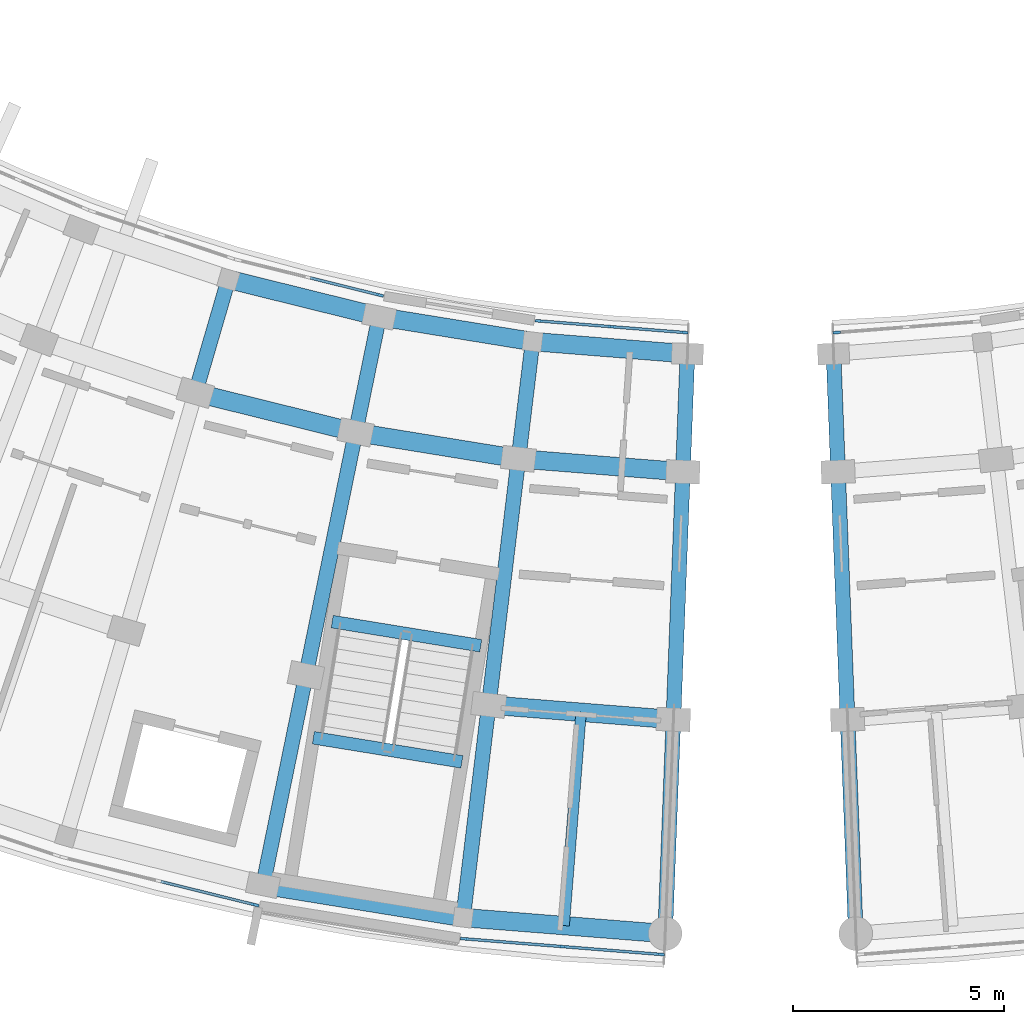
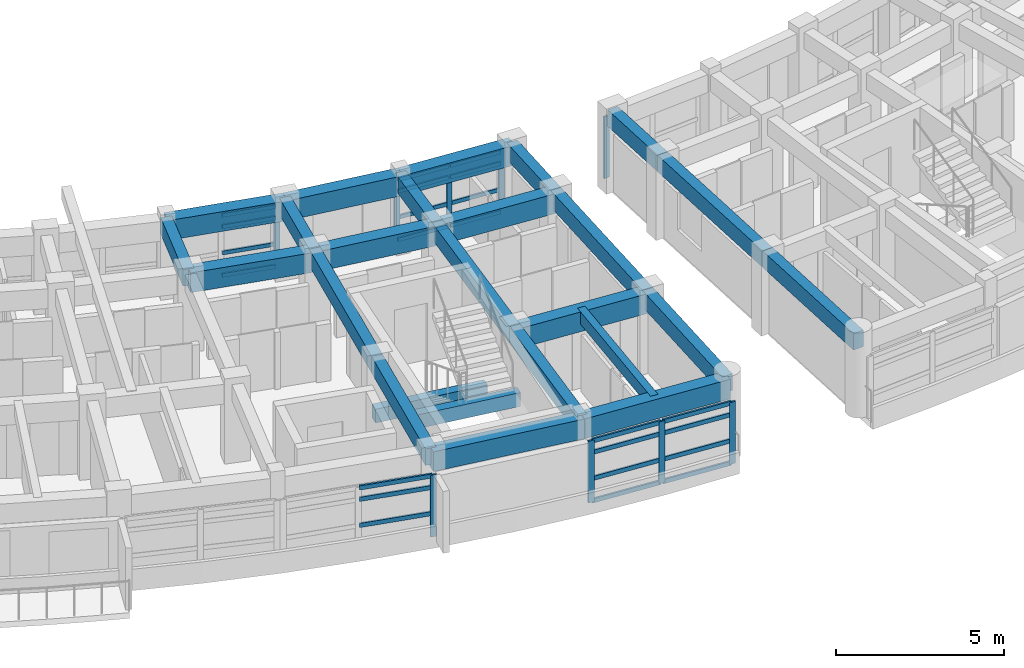
# One storey, part 12 of 55: 32 members, 25 beams, 5 elements without a shape of their own.
"""IFC4 building model written with IfcOpenShell, lengths in metres."""

from ifc_helpers import new_model, si_unit, direction, frame, origin, origin_2d, place, context, subcontext, project, spatial, rectangle, extrude, material, material_profile, profile_set, type_object, element, aggregate, save


model = new_model("IFC4")

# Units and contexts
model_context = context("Model", 3, precision=1e-05, world=origin(), true_north=direction((0.0, 1.0)))
body_context = subcontext(model_context, "Body", "Model", "MODEL_VIEW")
ifc_project = project(units=[si_unit("LENGTHUNIT", "METRE"), si_unit("AREAUNIT", "SQUARE_METRE"), si_unit("VOLUMEUNIT", "CUBIC_METRE"), si_unit("PLANEANGLEUNIT", "RADIAN"), si_unit("MASSUNIT", "GRAM", prefix="KILO")], contexts=[model_context])

# Site, building, storey
site_placement = place(None, origin())
site = spatial("IfcSite", under=ifc_project, at=site_placement, CompositionType="ELEMENT")
building_placement = place(site_placement, origin())
building = spatial("IfcBuilding", under=site, at=building_placement, Name="Zimvara Arc Housing Community", CompositionType="ELEMENT")
storey_placement = place(building_placement, frame((0.0, 0.0, 14.300048828125)))
storey = spatial("IfcBuildingStorey", under=building, at=storey_placement, Name="L04", CompositionType="ELEMENT", Elevation=14.300048828125)

# Beams
ifc_material_1 = material(Name="Concrete C40/50", Category="concrete")
ifc_material_profile_1 = material_profile(ifc_material_1, rectangle(XDim=0.25, YDim=0.449951171875, at=origin_2d()), Name="RC 250x450")
ifc_profile_set_1 = profile_set([ifc_material_profile_1], Name="Concrete C40/50")
beam_type_1 = type_object("IfcBeamType", Name="BM-RC-250x450", PredefinedType="JOIST", material=ifc_profile_set_1)
beam_1_placement = place(storey_placement, frame((121.72509765625, 56.2734375, 2.635009765625), z_axis=(-0.079171686291, -0.99686099537, 0.0), x_axis=(0.99686099537, -0.079171686291, 0.0)))
element("IfcBeam", 1, at=beam_1_placement, inside=storey, type_object=beam_type_1, Name="bm:blkC:L04:joist:b9", PredefinedType="JOIST", context=body_context, shape_type="SweptSolid", body=[
    extrude(rectangle(XDim=0.25, YDim=0.449951171875, at=origin_2d()), origin(), (0.0, 0.0, 1.0), 5.07568359375),
])
ifc_material_2 = material(Name="Concrete C40/50", Category="concrete")
ifc_material_profile_2 = material_profile(ifc_material_2, rectangle(XDim=0.300048828125, YDim=0.5, at=origin_2d()), Name="RC 300x500")
ifc_profile_set_2 = profile_set([ifc_material_profile_2], Name="Concrete C40/50")
beam_type_2 = type_object("IfcBeamType", Name="BM-RC-300x500", PredefinedType="BEAM", material=ifc_profile_set_2)
for number, where, z_axis, x_axis, name in (
    (2, (115.822265625, 58.423095703125, -0.25), (0.987080057935, -0.160227835371, 0.0), (0.160227835371, 0.987080057935, 0.0), "bm:stair_trim:ST-C2:L04:near"),
    (3, (115.375244140625, 55.6689453125, 1.300048828125), (0.987080057935, -0.160227835371, 0.0), (0.160227835371, 0.987080057935, 0.0), "bm:stair_trim:ST-C2:L04:mid"),
):
    element("IfcBeam", number, at=place(storey_placement, frame(where, z_axis=z_axis, x_axis=x_axis)), inside=storey, type_object=beam_type_2, Name=name, PredefinedType="BEAM", context=body_context, shape_type="SweptSolid", body=[
        extrude(rectangle(XDim=0.300048828125, YDim=0.5, at=origin_2d()), origin(), (0.0, 0.0, 1.0), 3.570068359375),
    ])
ifc_material_3 = material(Name="Concrete C40/50", Category="concrete")
ifc_material_profile_3 = material_profile(ifc_material_3, rectangle(XDim=0.35009765625, YDim=0.60009765625, at=origin_2d()), Name="RC 350x600")
ifc_profile_set_3 = profile_set([ifc_material_profile_3], Name="Concrete C40/50")
beam_type_3 = type_object("IfcBeamType", Name="BM-RC-350x600", PredefinedType="BEAM", material=ifc_profile_set_3)
for number, where, z_axis, x_axis, name in (
    (4, (113.361572265625, 66.540283203125, 2.56005859375), (-0.279635015525, -0.960106378529, 0.0), (0.960106378529, -0.279635015525, 0.0), "bm:blkC:L04:rad:b7:r01"),
    (5, (116.938232421875, 65.6552734375, 2.56005859375), (-0.20037341071, -0.979719600845, 0.0), (0.979719600845, -0.20037341071, 0.0), "bm:blkC:L04:rad:b8:r01"),
):
    element("IfcBeam", number, at=place(storey_placement, frame(where, z_axis=z_axis, x_axis=x_axis)), inside=storey, type_object=beam_type_3, Name=name, PredefinedType="BEAM", context=body_context, shape_type="SweptSolid", body=[
        extrude(rectangle(XDim=0.35009765625, YDim=0.60009765625, at=origin_2d()), origin(), (0.0, 0.0, 1.0), 2.800048828125),
    ])
beam_2_placement = place(storey_placement, frame((116.377197265625, 62.912109375, 2.56005859375), z_axis=(-0.200417973989, -0.979710485655, 0.0), x_axis=(0.979710485655, -0.200417973989, 0.0)))
element("IfcBeam", 6, at=beam_2_placement, inside=storey, type_object=beam_type_3, Name="bm:blkC:L04:rad:b8:r12", PredefinedType="BEAM", context=body_context, shape_type="SweptSolid", body=[
    extrude(rectangle(XDim=0.35009765625, YDim=0.60009765625, at=origin_2d()), origin(), (0.0, 0.0, 1.0), 5.880126953125),
])
beam_3_placement = place(storey_placement, frame((115.19873046875, 57.1513671875, 2.56005859375), z_axis=(-0.200356397601, -0.979723080233, 0.0), x_axis=(0.979723080233, -0.200356397601, 0.0)))
element("IfcBeam", 7, at=beam_3_placement, inside=storey, type_object=beam_type_3, Name="bm:blkC:L04:rad:b8:r23", PredefinedType="BEAM", context=body_context, shape_type="SweptSolid", body=[
    extrude(rectangle(XDim=0.35009765625, YDim=0.60009765625, at=origin_2d()), origin(), (0.0, 0.0, 1.0), 5.080078125),
])
beam_4_placement = place(storey_placement, frame((120.574951171875, 65.06494140625, 2.56005859375), z_axis=(-0.119719398078, -0.992807768767, 0.0), x_axis=(0.992807768767, -0.119719398078, 0.0)))
element("IfcBeam", 8, at=beam_4_placement, inside=storey, type_object=beam_type_3, Name="bm:blkC:L04:rad:b9:r01", PredefinedType="BEAM", context=body_context, shape_type="SweptSolid", body=[
    extrude(rectangle(XDim=0.35009765625, YDim=0.60009765625, at=origin_2d()), origin(), (0.0, 0.0, 1.0), 2.7998046875),
])
beam_5_placement = place(storey_placement, frame((120.23974609375, 62.28515625, 2.56005859375), z_axis=(-0.119786997154, -0.992799614884, 0.0), x_axis=(0.992799614884, -0.119786997154, 0.0)))
element("IfcBeam", 9, at=beam_5_placement, inside=storey, type_object=beam_type_3, Name="bm:blkC:L04:rad:b9:r12", PredefinedType="BEAM", context=body_context, shape_type="SweptSolid", body=[
    extrude(rectangle(XDim=0.35009765625, YDim=0.60009765625, at=origin_2d()), origin(), (0.0, 0.0, 1.0), 5.8798828125),
])
beam_6_placement = place(storey_placement, frame((119.535400390625, 56.447509765625, 2.56005859375), z_axis=(-0.119810359757, -0.992796795772, 0.0), x_axis=(0.992796795772, -0.119810359757, 0.0)))
element("IfcBeam", 10, at=beam_6_placement, inside=storey, type_object=beam_type_3, Name="bm:blkC:L04:rad:b9:r23", PredefinedType="BEAM", context=body_context, shape_type="SweptSolid", body=[
    extrude(rectangle(XDim=0.35009765625, YDim=0.60009765625, at=origin_2d()), origin(), (0.0, 0.0, 1.0), 5.080078125),
])
beam_7_placement = place(storey_placement, frame((124.248046875, 64.773193359375, 2.56005859375), z_axis=(-0.038453214409, -0.999260401648, 0.0), x_axis=(0.999260401648, -0.038453214409, 0.0)))
element("IfcBeam", 11, at=beam_7_placement, inside=storey, type_object=beam_type_3, Name="bm:blkC:L04:rad:b10:r01", PredefinedType="BEAM", context=body_context, shape_type="SweptSolid", body=[
    extrude(rectangle(XDim=0.35009765625, YDim=0.60009765625, at=origin_2d()), origin(), (0.0, 0.0, 1.0), 2.7998046875),
])
beam_8_placement = place(storey_placement, frame((124.140380859375, 61.975341796875, 2.56005859375), z_axis=(-0.038364555613, -0.999263809448, 0.0), x_axis=(0.999263809448, -0.038364555613, 0.0)))
element("IfcBeam", 12, at=beam_8_placement, inside=storey, type_object=beam_type_3, Name="bm:blkC:L04:rad:b10:r12", PredefinedType="BEAM", context=body_context, shape_type="SweptSolid", body=[
    extrude(rectangle(XDim=0.35009765625, YDim=0.60009765625, at=origin_2d()), origin(), (0.0, 0.0, 1.0), 5.880126953125),
])
beam_9_placement = place(storey_placement, frame((123.914794921875, 56.099609375, 2.56005859375), z_axis=(-0.038399898954, -0.999262451892, 0.0), x_axis=(0.999262451892, -0.038399898954, 0.0)))
element("IfcBeam", 13, at=beam_9_placement, inside=storey, type_object=beam_type_3, Name="bm:blkC:L04:rad:b10:r23", PredefinedType="BEAM", context=body_context, shape_type="SweptSolid", body=[
    extrude(rectangle(XDim=0.35009765625, YDim=0.60009765625, at=origin_2d()), origin(), (0.0, 0.0, 1.0), 5.079833984375),
])
beam_10_placement = place(storey_placement, frame((127.712158203125, 64.773193359375, 2.56005859375), z_axis=(0.038366147405, -0.999263748333, 0.0), x_axis=(0.999263748333, 0.038366147405, 0.0)))
element("IfcBeam", 14, at=beam_10_placement, inside=storey, type_object=beam_type_3, Name="bm:blkD:L04:rad:b0:r01", PredefinedType="BEAM", context=body_context, shape_type="SweptSolid", body=[
    extrude(rectangle(XDim=0.35009765625, YDim=0.60009765625, at=origin_2d()), origin(), (0.0, 0.0, 1.0), 2.7998046875),
])
beam_11_placement = place(storey_placement, frame((127.819580078125, 61.975341796875, 2.56005859375), z_axis=(0.038364555613, -0.999263809448, 0.0), x_axis=(0.999263809448, 0.038364555613, 0.0)))
element("IfcBeam", 15, at=beam_11_placement, inside=storey, type_object=beam_type_3, Name="bm:blkD:L04:rad:b0:r12", PredefinedType="BEAM", context=body_context, shape_type="SweptSolid", body=[
    extrude(rectangle(XDim=0.35009765625, YDim=0.60009765625, at=origin_2d()), origin(), (0.0, 0.0, 1.0), 5.880126953125),
])
beam_12_placement = place(storey_placement, frame((128.045166015625, 56.099609375, 2.56005859375), z_axis=(0.038399898954, -0.999262451892, 0.0), x_axis=(0.999262451892, 0.038399898954, 0.0)))
element("IfcBeam", 16, at=beam_12_placement, inside=storey, type_object=beam_type_3, Name="bm:blkD:L04:rad:b0:r23", PredefinedType="BEAM", context=body_context, shape_type="SweptSolid", body=[
    extrude(rectangle(XDim=0.35009765625, YDim=0.60009765625, at=origin_2d()), origin(), (0.0, 0.0, 1.0), 5.079833984375),
])
ifc_material_4 = material(Name="Concrete C40/50", Category="concrete")
ifc_material_profile_4 = material_profile(ifc_material_4, rectangle(XDim=0.43994140625, YDim=0.719970703125, at=origin_2d()), Name="RC 440x720")
ifc_profile_set_4 = profile_set([ifc_material_profile_4], Name="Concrete C40/50")
beam_type_4 = type_object("IfcBeamType", Name="BM-RC-440x720", PredefinedType="BEAM", material=ifc_profile_set_4)
beam_13_placement = place(storey_placement, frame((113.361572265625, 66.540283203125, 2.5), z_axis=(0.970724337693, -0.240196295163, 0.0), x_axis=(0.240196295163, 0.970724337693, 0.0)))
element("IfcBeam", 17, at=beam_13_placement, inside=storey, type_object=beam_type_4, Name="bm:blkC:L04:chord:r0:b7", PredefinedType="BEAM", context=body_context, shape_type="SweptSolid", body=[
    extrude(rectangle(XDim=0.43994140625, YDim=0.719970703125, at=origin_2d()), origin(), (0.0, 0.0, 1.0), 3.6845703125),
])
beam_14_placement = place(storey_placement, frame((116.938232421875, 65.6552734375, 2.5), z_axis=(0.987079996944, -0.160228211104, 0.0), x_axis=(0.160228211104, 0.987079996944, 0.0)))
element("IfcBeam", 18, at=beam_14_placement, inside=storey, type_object=beam_type_4, Name="bm:blkC:L04:chord:r0:b8", PredefinedType="BEAM", context=body_context, shape_type="SweptSolid", body=[
    extrude(rectangle(XDim=0.43994140625, YDim=0.719970703125, at=origin_2d()), origin(), (0.0, 0.0, 1.0), 3.684326171875),
])
beam_15_placement = place(storey_placement, frame((120.574951171875, 65.06494140625, 2.5), z_axis=(0.996860413745, -0.079179009267, 0.0), x_axis=(0.079179009267, 0.996860413745, 0.0)))
element("IfcBeam", 19, at=beam_15_placement, inside=storey, type_object=beam_type_4, Name="bm:blkC:L04:chord:r0:b9", PredefinedType="BEAM", context=body_context, shape_type="SweptSolid", body=[
    extrude(rectangle(XDim=0.43994140625, YDim=0.719970703125, at=origin_2d()), origin(), (0.0, 0.0, 1.0), 3.6845703125),
])
for number, where, z_axis, x_axis, name in (
    (20, (112.57861328125, 63.85205078125, 2.5), (0.970723220586, -0.240200809773, 0.0), (0.240200809773, 0.970723220586, 0.0), "bm:blkC:L04:chord:r1:b7"),
    (21, (116.377197265625, 62.912109375, 2.5), (0.987081487371, -0.160219029111, 0.0), (0.160219029111, 0.987081487371, 0.0), "bm:blkC:L04:chord:r1:b8"),
):
    element("IfcBeam", number, at=place(storey_placement, frame(where, z_axis=z_axis, x_axis=x_axis)), inside=storey, type_object=beam_type_4, Name=name, PredefinedType="BEAM", context=body_context, shape_type="SweptSolid", body=[
        extrude(rectangle(XDim=0.43994140625, YDim=0.719970703125, at=origin_2d()), origin(), (0.0, 0.0, 1.0), 3.9130859375),
    ])
beam_16_placement = place(storey_placement, frame((120.23974609375, 62.28515625, 2.5), z_axis=(0.99686054795, -0.079177319606, 0.0), x_axis=(0.079177319606, 0.99686054795, 0.0)))
element("IfcBeam", 22, at=beam_16_placement, inside=storey, type_object=beam_type_4, Name="bm:blkC:L04:chord:r1:b9", PredefinedType="BEAM", context=body_context, shape_type="SweptSolid", body=[
    extrude(rectangle(XDim=0.43994140625, YDim=0.719970703125, at=origin_2d()), origin(), (0.0, 0.0, 1.0), 3.912841796875),
])
beam_17_placement = place(storey_placement, frame((119.535400390625, 56.447509765625, 2.5), z_axis=(0.996859476344, -0.079190810224, 0.0), x_axis=(0.079190810224, 0.996859476344, 0.0)))
element("IfcBeam", 23, at=beam_17_placement, inside=storey, type_object=beam_type_4, Name="bm:blkC:L04:chord:r2:b9", PredefinedType="BEAM", context=body_context, shape_type="SweptSolid", body=[
    extrude(rectangle(XDim=0.43994140625, YDim=0.719970703125, at=origin_2d()), origin(), (0.0, 0.0, 1.0), 4.393310546875),
])
beam_18_placement = place(storey_placement, frame((114.180908203125, 52.17431640625, 2.5), z_axis=(0.987083566885, -0.160206217065, 0.0), x_axis=(0.160206217065, 0.987083566885, 0.0)))
element("IfcBeam", 24, at=beam_18_placement, inside=storey, type_object=beam_type_4, Name="bm:blkC:L04:chord:r3:b8", PredefinedType="BEAM", context=body_context, shape_type="SweptSolid", body=[
    extrude(rectangle(XDim=0.43994140625, YDim=0.719970703125, at=origin_2d()), origin(), (0.0, 0.0, 1.0), 4.807861328125),
])
beam_19_placement = place(storey_placement, frame((118.9267578125, 51.404052734375, 2.5), z_axis=(0.996861768207, -0.0791619548, 0.0), x_axis=(0.0791619548, 0.996861768207, 0.0)))
element("IfcBeam", 25, at=beam_19_placement, inside=storey, type_object=beam_type_4, Name="bm:blkC:L04:chord:r3:b9", PredefinedType="BEAM", context=body_context, shape_type="SweptSolid", body=[
    extrude(rectangle(XDim=0.43994140625, YDim=0.719970703125, at=origin_2d()), origin(), (0.0, 0.0, 1.0), 4.80810546875),
])

# Curtain wall, member
ifc_material_5 = material(Name="Anodised Aluminium AW-6063", Category="aluminium")
curtain_wall_type_1 = type_object("IfcCurtainWallType", Name="CW-SYS-04", PredefinedType="USERDEFINED", material=ifc_material_5)
curtain_wall_1_placement = place(storey_placement, origin())
curtain_wall_1 = element("IfcCurtainWall", 26, at=curtain_wall_1_placement, inside=storey, type_object=curtain_wall_type_1, Name="cw:blkC:L04:in:b7", ObjectType="CURTAIN WALL", PredefinedType="USERDEFINED")
ifc_material_6 = material(Name="Anodised Aluminium AW-6063", Category="aluminium")
ifc_material_profile_5 = material_profile(ifc_material_6, rectangle(XDim=0.06494140625, YDim=0.179931640625, at=origin_2d()), Name="ALU 65x180")
ifc_profile_set_5 = profile_set([ifc_material_profile_5], Name="Anodised Aluminium AW-6063")
member_type_1 = type_object("IfcMemberType", Name="CWM-65x150", PredefinedType="MULLION", material=ifc_profile_set_5)
member_1_placement = place(storey_placement, frame((116.94873046875, 66.167236328125, 0.0), z_axis=(0.0, 0.0, 1.0), x_axis=(0.240227815706, 0.970716537698, 0.0)))
member_1 = element("IfcMember", 27, at=member_1_placement, type_object=member_type_1, Name="CW04 mullion 3", PredefinedType="MULLION", context=body_context, shape_type="SweptSolid", body=[
    extrude(rectangle(XDim=0.06494140625, YDim=0.179931640625, at=origin_2d()), origin(), (0.0, 0.0, 1.0), 2.25),
])

# Curtain wall, members
ifc_material_7 = material(Name="Anodised Aluminium AW-6063", Category="aluminium")
curtain_wall_type_2 = type_object("IfcCurtainWallType", Name="CW-SYS-06", PredefinedType="USERDEFINED", material=ifc_material_7)
curtain_wall_2_placement = place(storey_placement, origin())
curtain_wall_2 = element("IfcCurtainWall", 28, at=curtain_wall_2_placement, inside=storey, type_object=curtain_wall_type_2, Name="cw:blkC:L04:in:b9", ObjectType="CURTAIN WALL", PredefinedType="USERDEFINED")
member_2_placement = place(storey_placement, frame((120.72705078125, 65.553955078125, 0.0), z_axis=(0.0, 0.0, 1.0), x_axis=(0.079154709897, 0.996862343506, 0.0)))
member_2 = element("IfcMember", 29, at=member_2_placement, type_object=member_type_1, Name="CW06 mullion 1", PredefinedType="MULLION", context=body_context, shape_type="SweptSolid", body=[
    extrude(rectangle(XDim=0.06494140625, YDim=0.179931640625, at=origin_2d()), origin(), (0.0, 0.0, 1.0), 2.25),
])
member_3_placement = place(storey_placement, frame((122.450927734375, 65.4169921875, 0.0), z_axis=(0.0, 0.0, 1.0), x_axis=(0.079154709897, 0.996862343506, 0.0)))
member_3 = element("IfcMember", 30, at=member_3_placement, type_object=member_type_1, Name="CW06 mullion 2", PredefinedType="MULLION", context=body_context, shape_type="SweptSolid", body=[
    extrude(rectangle(XDim=0.06494140625, YDim=0.179931640625, at=origin_2d()), origin(), (0.0, 0.0, 1.0), 2.25),
])
member_4_placement = place(storey_placement, frame((124.1748046875, 65.2802734375, 0.0), z_axis=(0.0, 0.0, 1.0), x_axis=(0.079154709897, 0.996862343506, 0.0)))
member_4 = element("IfcMember", 31, at=member_4_placement, type_object=member_type_1, Name="CW06 mullion 3", PredefinedType="MULLION", context=body_context, shape_type="SweptSolid", body=[
    extrude(rectangle(XDim=0.06494140625, YDim=0.179931640625, at=origin_2d()), origin(), (0.0, 0.0, 1.0), 2.25),
])

# Curtain wall, member
ifc_material_8 = material(Name="Anodised Aluminium AW-6063", Category="aluminium")
curtain_wall_type_3 = type_object("IfcCurtainWallType", Name="CW-SYS-02", PredefinedType="USERDEFINED", material=ifc_material_8)
curtain_wall_3_placement = place(storey_placement, origin())
curtain_wall_3 = element("IfcCurtainWall", 32, at=curtain_wall_3_placement, inside=storey, type_object=curtain_wall_type_3, Name="cw:blkD:L04:in:b0", ObjectType="CURTAIN WALL", PredefinedType="USERDEFINED")
member_5_placement = place(storey_placement, frame((127.78515625, 65.280029296875, 0.0), z_axis=(0.0, 0.0, 1.0), x_axis=(-0.077590099579, 0.996985344149, 0.0)))
member_5 = element("IfcMember", 33, at=member_5_placement, type_object=member_type_1, Name="CW02 mullion 1", PredefinedType="MULLION", context=body_context, shape_type="SweptSolid", body=[
    extrude(rectangle(XDim=0.06494140625, YDim=0.179931640625, at=origin_2d()), origin(), (0.0, 0.0, 1.0), 2.25),
])
aggregate(curtain_wall_3, [member_5])

ifc_material_9 = material(Name="Anodised Aluminium AW-6063", Category="aluminium")
curtain_wall_type_4 = type_object("IfcCurtainWallType", Name="CW-SYS-03", PredefinedType="USERDEFINED", material=ifc_material_9)
curtain_wall_4_placement = place(storey_placement, origin())
curtain_wall_4 = element("IfcCurtainWall", 34, at=curtain_wall_4_placement, inside=storey, type_object=curtain_wall_type_4, Name="cw:blkC:L04:out:b7", ObjectType="CURTAIN WALL", PredefinedType="USERDEFINED")
ifc_material_10 = material(Name="Anodised Aluminium AW-6063", Category="aluminium")
ifc_material_profile_6 = material_profile(ifc_material_10, rectangle(XDim=0.06494140625, YDim=0.195068359375, at=origin_2d()), Name="ALU 65x195")
ifc_profile_set_6 = profile_set([ifc_material_profile_6], Name="Anodised Aluminium AW-6063")
member_type_2 = type_object("IfcMemberType", Name="CWM-65x180", PredefinedType="MULLION", material=ifc_profile_set_6)
member_6_placement = place(storey_placement, frame((113.99072265625, 51.706787109375, 0.0), z_axis=(0.0, 0.0, 1.0), x_axis=(0.240229711131, 0.970716068627, 0.0)))
member_6 = element("IfcMember", 35, at=member_6_placement, type_object=member_type_2, Name="CW03 mullion 3", PredefinedType="MULLION", context=body_context, shape_type="SweptSolid", body=[
    extrude(rectangle(XDim=0.06494140625, YDim=0.195068359375, at=origin_2d()), origin(), (0.0, 0.0, 1.0), 2.25),
])

# Curtain wall, members
ifc_material_11 = material(Name="Anodised Aluminium AW-6063", Category="aluminium")
curtain_wall_type_5 = type_object("IfcCurtainWallType", Name="CW-SYS-05", PredefinedType="USERDEFINED", material=ifc_material_11)
curtain_wall_5_placement = place(storey_placement, origin())
curtain_wall_5 = element("IfcCurtainWall", 36, at=curtain_wall_5_placement, inside=storey, type_object=curtain_wall_type_5, Name="cw:blkC:L04:out:b9", ObjectType="CURTAIN WALL", PredefinedType="USERDEFINED")
member_7_placement = place(storey_placement, frame((118.958984375, 50.900146484375, 0.0), z_axis=(0.0, 0.0, 1.0), x_axis=(0.079153759607, 0.996862418963, 0.0)))
member_7 = element("IfcMember", 37, at=member_7_placement, type_object=member_type_2, Name="CW05 mullion 1", PredefinedType="MULLION", context=body_context, shape_type="SweptSolid", body=[
    extrude(rectangle(XDim=0.06494140625, YDim=0.195068359375, at=origin_2d()), origin(), (0.0, 0.0, 1.0), 2.25),
])
member_8_placement = place(storey_placement, frame((121.28369140625, 50.715576171875, 0.0), z_axis=(0.0, 0.0, 1.0), x_axis=(0.079153759607, 0.996862418963, 0.0)))
member_8 = element("IfcMember", 38, at=member_8_placement, type_object=member_type_2, Name="CW05 mullion 2", PredefinedType="MULLION", context=body_context, shape_type="SweptSolid", body=[
    extrude(rectangle(XDim=0.06494140625, YDim=0.195068359375, at=origin_2d()), origin(), (0.0, 0.0, 1.0), 2.25),
])
member_9_placement = place(storey_placement, frame((123.6083984375, 50.531005859375, 0.0), z_axis=(0.0, 0.0, 1.0), x_axis=(0.079153759607, 0.996862418963, 0.0)))
member_9 = element("IfcMember", 39, at=member_9_placement, type_object=member_type_2, Name="CW05 mullion 3", PredefinedType="MULLION", context=body_context, shape_type="SweptSolid", body=[
    extrude(rectangle(XDim=0.06494140625, YDim=0.195068359375, at=origin_2d()), origin(), (0.0, 0.0, 1.0), 2.25),
])

# Member
ifc_material_12 = material(Name="Anodised Aluminium AW-6063", Category="aluminium")
ifc_material_profile_7 = material_profile(ifc_material_12, rectangle(XDim=0.06494140625, YDim=0.139892578125, at=origin_2d()), Name="ALU 65x140")
ifc_profile_set_7 = profile_set([ifc_material_profile_7], Name="Anodised Aluminium AW-6063")
member_type_3 = type_object("IfcMemberType", Name="CWT-65x120", PredefinedType="USERDEFINED", material=ifc_profile_set_7)
member_10_placement = place(storey_placement, frame((115.301513671875, 66.574951171875, 0.032470703125), z_axis=(0.970700809973, -0.24029135964, 0.0), x_axis=(0.24029135964, 0.970700809973, 0.0)))
member_10 = element("IfcMember", 40, at=member_10_placement, type_object=member_type_3, Name="CW04 transom 2.1", ObjectType="TRANSOM", PredefinedType="USERDEFINED", context=body_context, shape_type="SweptSolid", body=[
    extrude(rectangle(XDim=0.06494140625, YDim=0.139892578125, at=origin_2d()), origin(), (0.0, 0.0, 1.0), 1.664306640625),
])

member_11_placement = place(storey_placement, frame((115.301513671875, 66.574951171875, 0.849853515625), z_axis=(0.970700809973, -0.24029135964, 0.0), x_axis=(0.24029135964, 0.970700809973, 0.0)))
member_11 = element("IfcMember", 41, at=member_11_placement, type_object=member_type_3, Name="CW04 transom 2.2", ObjectType="TRANSOM", PredefinedType="USERDEFINED", context=body_context, shape_type="SweptSolid", body=[
    extrude(rectangle(XDim=0.06494140625, YDim=0.139892578125, at=origin_2d()), origin(), (0.0, 0.0, 1.0), 1.664306640625),
])

member_12_placement = place(storey_placement, frame((115.301513671875, 66.574951171875, 1.800048828125), z_axis=(0.970700809973, -0.24029135964, 0.0), x_axis=(0.24029135964, 0.970700809973, 0.0)))
member_12 = element("IfcMember", 42, at=member_12_placement, type_object=member_type_3, Name="CW04 transom 2.3", ObjectType="TRANSOM", PredefinedType="USERDEFINED", context=body_context, shape_type="SweptSolid", body=[
    extrude(rectangle(XDim=0.06494140625, YDim=0.139892578125, at=origin_2d()), origin(), (0.0, 0.0, 1.0), 1.664306640625),
])

member_13_placement = place(storey_placement, frame((115.301513671875, 66.574951171875, 2.217529296875), z_axis=(0.970700809973, -0.24029135964, 0.0), x_axis=(0.24029135964, 0.970700809973, 0.0)))
member_13 = element("IfcMember", 43, at=member_13_placement, type_object=member_type_3, Name="CW04 transom 2.4", ObjectType="TRANSOM", PredefinedType="USERDEFINED", context=body_context, shape_type="SweptSolid", body=[
    extrude(rectangle(XDim=0.06494140625, YDim=0.139892578125, at=origin_2d()), origin(), (0.0, 0.0, 1.0), 1.664306640625),
])

aggregate(curtain_wall_1, [member_1, member_10, member_11, member_12, member_13])

member_14_placement = place(storey_placement, frame((120.759521484375, 65.551513671875, 0.032470703125), z_axis=(0.99685804311, -0.079208849806, 0.0), x_axis=(0.079208849806, 0.99685804311, 0.0)))
member_14 = element("IfcMember", 44, at=member_14_placement, type_object=member_type_3, Name="CW06 transom 1.1", ObjectType="TRANSOM", PredefinedType="USERDEFINED", context=body_context, shape_type="SweptSolid", body=[
    extrude(rectangle(XDim=0.06494140625, YDim=0.139892578125, at=origin_2d()), origin(), (0.0, 0.0, 1.0), 1.664306640625),
])

member_15_placement = place(storey_placement, frame((120.759521484375, 65.551513671875, 0.849853515625), z_axis=(0.99685804311, -0.079208849806, 0.0), x_axis=(0.079208849806, 0.99685804311, 0.0)))
member_15 = element("IfcMember", 45, at=member_15_placement, type_object=member_type_3, Name="CW06 transom 1.2", ObjectType="TRANSOM", PredefinedType="USERDEFINED", context=body_context, shape_type="SweptSolid", body=[
    extrude(rectangle(XDim=0.06494140625, YDim=0.139892578125, at=origin_2d()), origin(), (0.0, 0.0, 1.0), 1.664306640625),
])

member_16_placement = place(storey_placement, frame((120.759521484375, 65.551513671875, 1.800048828125), z_axis=(0.99685804311, -0.079208849806, 0.0), x_axis=(0.079208849806, 0.99685804311, 0.0)))
member_16 = element("IfcMember", 46, at=member_16_placement, type_object=member_type_3, Name="CW06 transom 1.3", ObjectType="TRANSOM", PredefinedType="USERDEFINED", context=body_context, shape_type="SweptSolid", body=[
    extrude(rectangle(XDim=0.06494140625, YDim=0.139892578125, at=origin_2d()), origin(), (0.0, 0.0, 1.0), 1.664306640625),
])

member_17_placement = place(storey_placement, frame((120.759521484375, 65.551513671875, 2.217529296875), z_axis=(0.99685804311, -0.079208849806, 0.0), x_axis=(0.079208849806, 0.99685804311, 0.0)))
member_17 = element("IfcMember", 47, at=member_17_placement, type_object=member_type_3, Name="CW06 transom 1.4", ObjectType="TRANSOM", PredefinedType="USERDEFINED", context=body_context, shape_type="SweptSolid", body=[
    extrude(rectangle(XDim=0.06494140625, YDim=0.139892578125, at=origin_2d()), origin(), (0.0, 0.0, 1.0), 1.664306640625),
])

member_18_placement = place(storey_placement, frame((122.4833984375, 65.41455078125, 0.032470703125), z_axis=(0.99685804311, -0.079208849806, 0.0), x_axis=(0.079208849806, 0.99685804311, 0.0)))
member_18 = element("IfcMember", 48, at=member_18_placement, type_object=member_type_3, Name="CW06 transom 2.1", ObjectType="TRANSOM", PredefinedType="USERDEFINED", context=body_context, shape_type="SweptSolid", body=[
    extrude(rectangle(XDim=0.06494140625, YDim=0.139892578125, at=origin_2d()), origin(), (0.0, 0.0, 1.0), 1.664306640625),
])

member_19_placement = place(storey_placement, frame((122.4833984375, 65.41455078125, 0.849853515625), z_axis=(0.99685804311, -0.079208849806, 0.0), x_axis=(0.079208849806, 0.99685804311, 0.0)))
member_19 = element("IfcMember", 49, at=member_19_placement, type_object=member_type_3, Name="CW06 transom 2.2", ObjectType="TRANSOM", PredefinedType="USERDEFINED", context=body_context, shape_type="SweptSolid", body=[
    extrude(rectangle(XDim=0.06494140625, YDim=0.139892578125, at=origin_2d()), origin(), (0.0, 0.0, 1.0), 1.664306640625),
])

member_20_placement = place(storey_placement, frame((122.4833984375, 65.41455078125, 1.800048828125), z_axis=(0.99685804311, -0.079208849806, 0.0), x_axis=(0.079208849806, 0.99685804311, 0.0)))
member_20 = element("IfcMember", 50, at=member_20_placement, type_object=member_type_3, Name="CW06 transom 2.3", ObjectType="TRANSOM", PredefinedType="USERDEFINED", context=body_context, shape_type="SweptSolid", body=[
    extrude(rectangle(XDim=0.06494140625, YDim=0.139892578125, at=origin_2d()), origin(), (0.0, 0.0, 1.0), 1.664306640625),
])

member_21_placement = place(storey_placement, frame((122.4833984375, 65.41455078125, 2.217529296875), z_axis=(0.99685804311, -0.079208849806, 0.0), x_axis=(0.079208849806, 0.99685804311, 0.0)))
member_21 = element("IfcMember", 51, at=member_21_placement, type_object=member_type_3, Name="CW06 transom 2.4", ObjectType="TRANSOM", PredefinedType="USERDEFINED", context=body_context, shape_type="SweptSolid", body=[
    extrude(rectangle(XDim=0.06494140625, YDim=0.139892578125, at=origin_2d()), origin(), (0.0, 0.0, 1.0), 1.664306640625),
])

aggregate(curtain_wall_2, [member_2, member_3, member_4, member_14, member_15, member_16, member_17, member_18, member_19, member_20, member_21])

ifc_material_13 = material(Name="Anodised Aluminium AW-6063", Category="aluminium")
ifc_material_profile_8 = material_profile(ifc_material_13, rectangle(XDim=0.06494140625, YDim=0.155029296875, at=origin_2d()), Name="ALU 65x155")
ifc_profile_set_8 = profile_set([ifc_material_profile_8], Name="Anodised Aluminium AW-6063")
member_type_4 = type_object("IfcMemberType", Name="CWT-65x140", PredefinedType="USERDEFINED", material=ifc_profile_set_8)
member_22_placement = place(storey_placement, frame((111.7587890625, 52.259033203125, 0.849853515625), z_axis=(0.970728837212, -0.240178110172, 0.0), x_axis=(0.240178110172, 0.970728837212, 0.0)))
member_22 = element("IfcMember", 52, at=member_22_placement, type_object=member_type_4, Name="CW03 transom 2.2", ObjectType="TRANSOM", PredefinedType="USERDEFINED", context=body_context, shape_type="SweptSolid", body=[
    extrude(rectangle(XDim=0.06494140625, YDim=0.155029296875, at=origin_2d()), origin(), (0.0, 0.0, 1.0), 2.266845703125),
])

member_23_placement = place(storey_placement, frame((111.7587890625, 52.259033203125, 1.800048828125), z_axis=(0.970728837212, -0.240178110172, 0.0), x_axis=(0.240178110172, 0.970728837212, 0.0)))
member_23 = element("IfcMember", 53, at=member_23_placement, type_object=member_type_4, Name="CW03 transom 2.3", ObjectType="TRANSOM", PredefinedType="USERDEFINED", context=body_context, shape_type="SweptSolid", body=[
    extrude(rectangle(XDim=0.06494140625, YDim=0.155029296875, at=origin_2d()), origin(), (0.0, 0.0, 1.0), 2.266845703125),
])

member_24_placement = place(storey_placement, frame((111.7587890625, 52.259033203125, 2.217529296875), z_axis=(0.970728837212, -0.240178110172, 0.0), x_axis=(0.240178110172, 0.970728837212, 0.0)))
member_24 = element("IfcMember", 54, at=member_24_placement, type_object=member_type_4, Name="CW03 transom 2.4", ObjectType="TRANSOM", PredefinedType="USERDEFINED", context=body_context, shape_type="SweptSolid", body=[
    extrude(rectangle(XDim=0.06494140625, YDim=0.155029296875, at=origin_2d()), origin(), (0.0, 0.0, 1.0), 2.266845703125),
])

aggregate(curtain_wall_4, [member_6, member_22, member_23, member_24])

member_25_placement = place(storey_placement, frame((118.991455078125, 50.897705078125, 0.032470703125), z_axis=(0.996862021022, -0.079158771116, 0.0), x_axis=(0.079158771116, 0.996862021022, 0.0)))
member_25 = element("IfcMember", 55, at=member_25_placement, type_object=member_type_4, Name="CW05 transom 1.1", ObjectType="TRANSOM", PredefinedType="USERDEFINED", context=body_context, shape_type="SweptSolid", body=[
    extrude(rectangle(XDim=0.06494140625, YDim=0.155029296875, at=origin_2d()), origin(), (0.0, 0.0, 1.0), 2.266845703125),
])

member_26_placement = place(storey_placement, frame((118.991455078125, 50.897705078125, 0.849853515625), z_axis=(0.996862021022, -0.079158771116, 0.0), x_axis=(0.079158771116, 0.996862021022, 0.0)))
member_26 = element("IfcMember", 56, at=member_26_placement, type_object=member_type_4, Name="CW05 transom 1.2", ObjectType="TRANSOM", PredefinedType="USERDEFINED", context=body_context, shape_type="SweptSolid", body=[
    extrude(rectangle(XDim=0.06494140625, YDim=0.155029296875, at=origin_2d()), origin(), (0.0, 0.0, 1.0), 2.266845703125),
])

member_27_placement = place(storey_placement, frame((118.991455078125, 50.897705078125, 1.800048828125), z_axis=(0.996862021022, -0.079158771116, 0.0), x_axis=(0.079158771116, 0.996862021022, 0.0)))
member_27 = element("IfcMember", 57, at=member_27_placement, type_object=member_type_4, Name="CW05 transom 1.3", ObjectType="TRANSOM", PredefinedType="USERDEFINED", context=body_context, shape_type="SweptSolid", body=[
    extrude(rectangle(XDim=0.06494140625, YDim=0.155029296875, at=origin_2d()), origin(), (0.0, 0.0, 1.0), 2.266845703125),
])

member_28_placement = place(storey_placement, frame((118.991455078125, 50.897705078125, 2.217529296875), z_axis=(0.996862021022, -0.079158771116, 0.0), x_axis=(0.079158771116, 0.996862021022, 0.0)))
member_28 = element("IfcMember", 58, at=member_28_placement, type_object=member_type_4, Name="CW05 transom 1.4", ObjectType="TRANSOM", PredefinedType="USERDEFINED", context=body_context, shape_type="SweptSolid", body=[
    extrude(rectangle(XDim=0.06494140625, YDim=0.155029296875, at=origin_2d()), origin(), (0.0, 0.0, 1.0), 2.266845703125),
])

member_29_placement = place(storey_placement, frame((121.316162109375, 50.713134765625, 0.032470703125), z_axis=(0.996862021022, -0.079158771116, 0.0), x_axis=(0.079158771116, 0.996862021022, 0.0)))
member_29 = element("IfcMember", 59, at=member_29_placement, type_object=member_type_4, Name="CW05 transom 2.1", ObjectType="TRANSOM", PredefinedType="USERDEFINED", context=body_context, shape_type="SweptSolid", body=[
    extrude(rectangle(XDim=0.06494140625, YDim=0.155029296875, at=origin_2d()), origin(), (0.0, 0.0, 1.0), 2.266845703125),
])

member_30_placement = place(storey_placement, frame((121.316162109375, 50.713134765625, 0.849853515625), z_axis=(0.996862021022, -0.079158771116, 0.0), x_axis=(0.079158771116, 0.996862021022, 0.0)))
member_30 = element("IfcMember", 60, at=member_30_placement, type_object=member_type_4, Name="CW05 transom 2.2", ObjectType="TRANSOM", PredefinedType="USERDEFINED", context=body_context, shape_type="SweptSolid", body=[
    extrude(rectangle(XDim=0.06494140625, YDim=0.155029296875, at=origin_2d()), origin(), (0.0, 0.0, 1.0), 2.266845703125),
])

member_31_placement = place(storey_placement, frame((121.316162109375, 50.713134765625, 1.800048828125), z_axis=(0.996862021022, -0.079158771116, 0.0), x_axis=(0.079158771116, 0.996862021022, 0.0)))
member_31 = element("IfcMember", 61, at=member_31_placement, type_object=member_type_4, Name="CW05 transom 2.3", ObjectType="TRANSOM", PredefinedType="USERDEFINED", context=body_context, shape_type="SweptSolid", body=[
    extrude(rectangle(XDim=0.06494140625, YDim=0.155029296875, at=origin_2d()), origin(), (0.0, 0.0, 1.0), 2.266845703125),
])

member_32_placement = place(storey_placement, frame((121.316162109375, 50.713134765625, 2.217529296875), z_axis=(0.996862021022, -0.079158771116, 0.0), x_axis=(0.079158771116, 0.996862021022, 0.0)))
member_32 = element("IfcMember", 62, at=member_32_placement, type_object=member_type_4, Name="CW05 transom 2.4", ObjectType="TRANSOM", PredefinedType="USERDEFINED", context=body_context, shape_type="SweptSolid", body=[
    extrude(rectangle(XDim=0.06494140625, YDim=0.155029296875, at=origin_2d()), origin(), (0.0, 0.0, 1.0), 2.266845703125),
])

aggregate(curtain_wall_5, [member_7, member_8, member_9, member_25, member_26, member_27, member_28, member_29, member_30, member_31, member_32])

save(model, "model.ifc")
